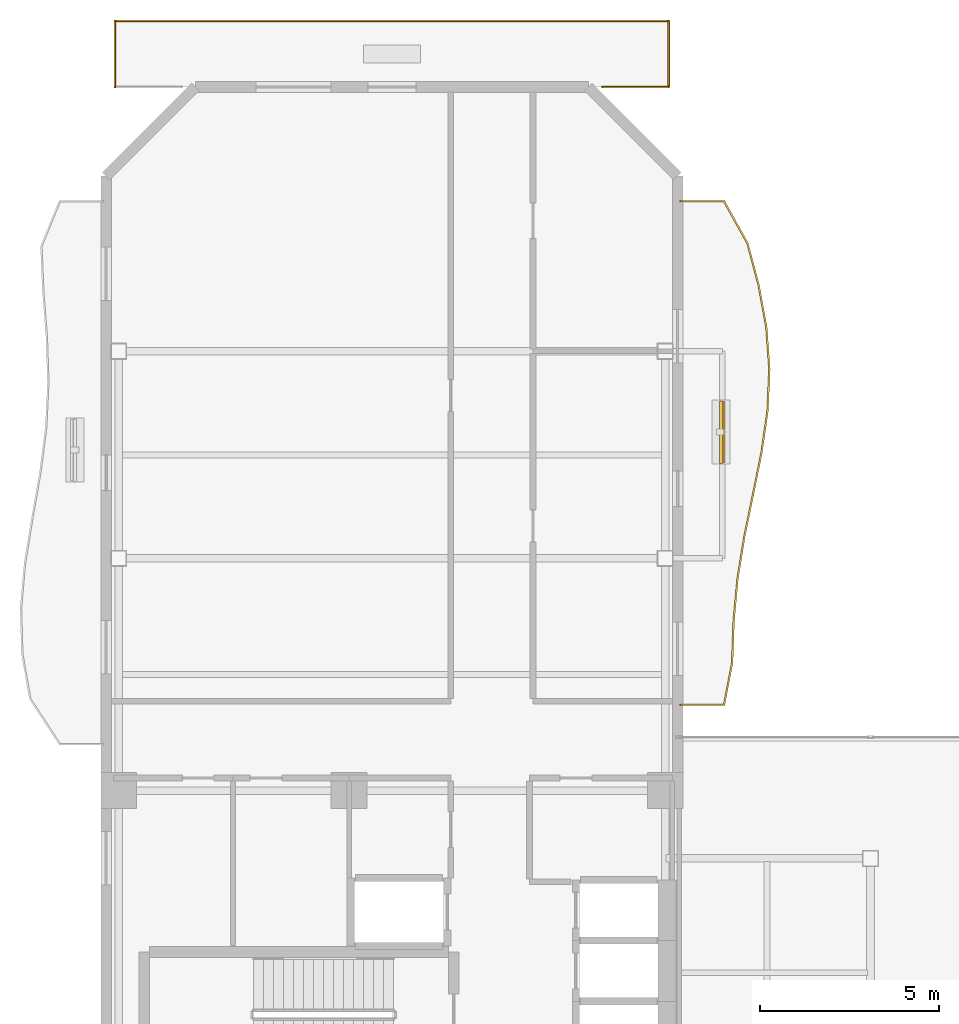
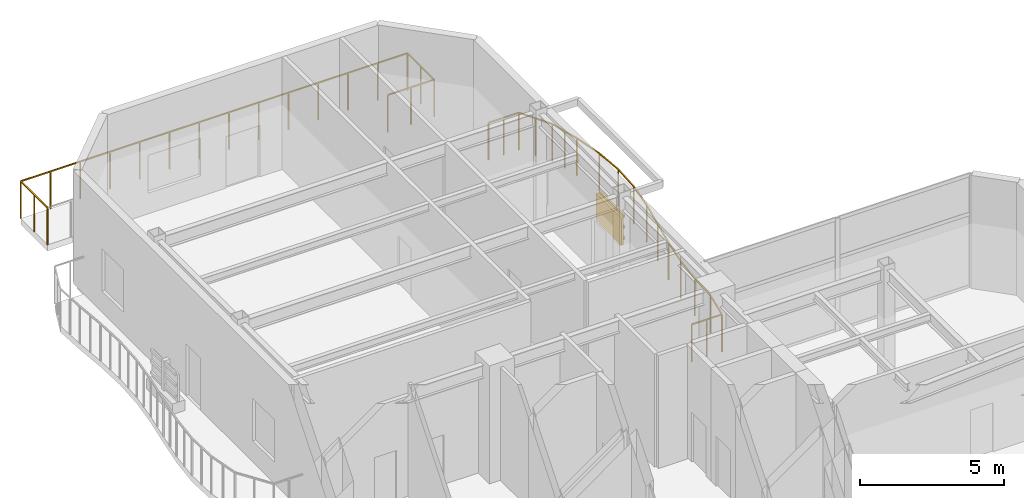
# One storey, part 16 of 16: 5 railings, 4 shading devices.
"""IFC4 building model written with IfcOpenShell, lengths in metres."""

from ifc_helpers import new_model, si_unit, direction, frame, origin, origin_2d, place, context, subcontext, project, spatial, rectangle, extrude, material, layer, layer_set, material_profile, profile_set, type_object, element, save


model = new_model("IFC4")

# Units and contexts
model_context = context("Model", 3, precision=1e-05, world=origin(), true_north=direction((0.0, 1.0)))
body_context = subcontext(model_context, "Body", "Model", "MODEL_VIEW")
ifc_project = project(units=[si_unit("LENGTHUNIT", "METRE"), si_unit("AREAUNIT", "SQUARE_METRE"), si_unit("VOLUMEUNIT", "CUBIC_METRE"), si_unit("PLANEANGLEUNIT", "RADIAN"), si_unit("MASSUNIT", "GRAM", prefix="KILO")], contexts=[model_context])

# Site, building, storey
site_placement = place(None, origin())
site = spatial("IfcSite", under=ifc_project, at=site_placement, CompositionType="ELEMENT")
building_placement = place(site_placement, origin())
building = spatial("IfcBuilding", under=site, at=building_placement, Name="Mawjaban Terraces University", CompositionType="ELEMENT")
storey_placement = place(building_placement, frame((0.0, 0.0, 170.800048828125)))
storey = spatial("IfcBuildingStorey", under=building, at=storey_placement, Name="L41", CompositionType="ELEMENT", Elevation=170.800048828125)

# Railings
ifc_material_1 = material(Name="Galvanised powder-coated steel S355", Category="steel")
railing_type = type_object("IfcRailingType", Name="BalconyBalustrade_1600", PredefinedType="BALUSTRADE", material=ifc_material_1)
railing_1_placement = place(storey_placement, frame((38.080078125, 25.89990234375, 0.0)))
element("IfcRailing", 1, at=railing_1_placement, inside=storey, type_object=railing_type, Name="L41 Balcony Guardrail inner_east", PredefinedType="BALUSTRADE", context=body_context, shape_type="SweptSolid", body=[
    extrude(rectangle(XDim=0.048095703125, YDim=0.048095703125, at=origin_2d()), frame((0.0, 0.0, 1.576171875), z_axis=(1.0, 0.0, 0.0), x_axis=(0.0, 1.0, 0.0)), (0.0, 0.0, 1.0), 1.219970703125),
    extrude(rectangle(XDim=0.048095703125, YDim=0.048095703125, at=origin_2d()), frame((1.219970703125, 0.0, 1.576171875), z_axis=(0.189717436147, 0.981838731372, 0.0), x_axis=(-0.981838731372, 0.189717436147, 0.0)), (0.0, 0.0, 1.0), 1.19677734375),
    extrude(rectangle(XDim=0.048095703125, YDim=0.048095703125, at=origin_2d()), frame((1.447021484375, 1.175048828125, 1.576171875), z_axis=(0.0357137491, 0.999362060579, 0.0), x_axis=(-0.999362060579, 0.0357137491, 0.0)), (0.0, 0.0, 1.0), 1.17578125),
    extrude(rectangle(XDim=0.048095703125, YDim=0.048095703125, at=origin_2d()), frame((1.489013671875, 2.35009765625, 1.576171875), z_axis=(0.091449798878, 0.995809687784, 0.0), x_axis=(-0.995809687784, 0.091449798878, 0.0)), (0.0, 0.0, 1.0), 1.179931640625),
    extrude(rectangle(XDim=0.048095703125, YDim=0.048095703125, at=origin_2d()), frame((1.596923828125, 3.525146484375, 1.576171875), z_axis=(0.159574207001, 0.987185936113, 0.0), x_axis=(-0.987185936113, 0.159574207001, 0.0)), (0.0, 0.0, 1.0), 1.190185546875),
    extrude(rectangle(XDim=0.048095703125, YDim=0.048095703125, at=origin_2d()), frame((1.786865234375, 4.7001953125, 1.576171875), z_axis=(0.201710351327, 0.979445217543, 0.0), x_axis=(-0.979445217543, 0.201710351327, 0.0)), (0.0, 0.0, 1.0), 1.199462890625),
    extrude(rectangle(XDim=0.048095703125, YDim=0.048095703125, at=origin_2d()), frame((2.02880859375, 5.875, 1.576171875), z_axis=(0.198543481874, 0.980092080269, 0.0), x_axis=(-0.980092080269, 0.198543481874, 0.0)), (0.0, 0.0, 1.0), 1.198974609375),
    extrude(rectangle(XDim=0.048095703125, YDim=0.048095703125, at=origin_2d()), frame((2.266845703125, 7.050048828125, 1.576171875), z_axis=(0.143321076756, 0.989676244515, 0.0), x_axis=(-0.989676244515, 0.143321076756, 0.0)), (0.0, 0.0, 1.0), 1.187255859375),
    extrude(rectangle(XDim=0.048095703125, YDim=0.048095703125, at=origin_2d()), frame((2.43701171875, 8.22509765625, 1.576171875), z_axis=(0.045040469643, 0.9989851631, 0.0), x_axis=(-0.9989851631, 0.045040469643, 0.0)), (0.0, 0.0, 1.0), 1.17626953125),
    extrude(rectangle(XDim=0.048095703125, YDim=0.048095703125, at=origin_2d()), frame((2.489990234375, 9.400146484375, 1.576171875), z_axis=(-0.073146558175, 0.997321202536, 0.0), x_axis=(-0.997321202536, -0.073146558175, 0.0)), (0.0, 0.0, 1.0), 1.17822265625),
    extrude(rectangle(XDim=0.048095703125, YDim=0.048095703125, at=origin_2d()), frame((2.40380859375, 10.5751953125, 1.576171875), z_axis=(-0.179892743793, 0.983686230833, 0.0), x_axis=(-0.983686230833, -0.179892743793, 0.0)), (0.0, 0.0, 1.0), 1.1943359375),
    extrude(rectangle(XDim=0.048095703125, YDim=0.048095703125, at=origin_2d()), frame((2.18896484375, 11.75, 1.576171875), z_axis=(-0.258137372471, 0.966108222164, 0.0), x_axis=(-0.966108222164, -0.258137372471, 0.0)), (0.0, 0.0, 1.0), 1.21630859375),
    extrude(rectangle(XDim=0.048095703125, YDim=0.048095703125, at=origin_2d()), frame((1.875, 12.925048828125, 1.576171875), z_axis=(-0.486905922825, 0.873454419142, 0.0), x_axis=(-0.873454419142, -0.486905922825, 0.0)), (0.0, 0.0, 1.0), 1.34521484375),
    extrude(rectangle(XDim=0.048095703125, YDim=0.048095703125, at=origin_2d()), frame((1.219970703125, 14.10009765625, 1.576171875), z_axis=(-1.0, 0.0, 0.0), x_axis=(0.0, -1.0, 0.0)), (0.0, 0.0, 1.0), 1.219970703125),
    extrude(rectangle(XDim=0.0419921875, YDim=0.0419921875, at=origin_2d()), origin(), (0.0, 0.0, 1.0), 1.552001953125),
    extrude(rectangle(XDim=0.0419921875, YDim=0.0419921875, at=origin_2d()), frame((0.60986328125, 0.0, 0.0)), (0.0, 0.0, 1.0), 1.552001953125),
    extrude(rectangle(XDim=0.0419921875, YDim=0.0419921875, at=origin_2d()), frame((1.219970703125, 0.0, 0.0)), (0.0, 0.0, 1.0), 1.552001953125),
    extrude(rectangle(XDim=0.0419921875, YDim=0.0419921875, at=origin_2d()), frame((1.447021484375, 1.175048828125, 0.0)), (0.0, 0.0, 1.0), 1.552001953125),
    extrude(rectangle(XDim=0.0419921875, YDim=0.0419921875, at=origin_2d()), frame((1.489013671875, 2.35009765625, 0.0)), (0.0, 0.0, 1.0), 1.552001953125),
    extrude(rectangle(XDim=0.0419921875, YDim=0.0419921875, at=origin_2d()), frame((1.596923828125, 3.525146484375, 0.0)), (0.0, 0.0, 1.0), 1.552001953125),
    extrude(rectangle(XDim=0.0419921875, YDim=0.0419921875, at=origin_2d()), frame((1.786865234375, 4.7001953125, 0.0)), (0.0, 0.0, 1.0), 1.552001953125),
    extrude(rectangle(XDim=0.0419921875, YDim=0.0419921875, at=origin_2d()), frame((2.02880859375, 5.875, 0.0)), (0.0, 0.0, 1.0), 1.552001953125),
    extrude(rectangle(XDim=0.0419921875, YDim=0.0419921875, at=origin_2d()), frame((2.266845703125, 7.050048828125, 0.0)), (0.0, 0.0, 1.0), 1.552001953125),
    extrude(rectangle(XDim=0.0419921875, YDim=0.0419921875, at=origin_2d()), frame((2.43701171875, 8.22509765625, 0.0)), (0.0, 0.0, 1.0), 1.552001953125),
    extrude(rectangle(XDim=0.0419921875, YDim=0.0419921875, at=origin_2d()), frame((2.489990234375, 9.400146484375, 0.0)), (0.0, 0.0, 1.0), 1.552001953125),
    extrude(rectangle(XDim=0.0419921875, YDim=0.0419921875, at=origin_2d()), frame((2.40380859375, 10.5751953125, 0.0)), (0.0, 0.0, 1.0), 1.552001953125),
    extrude(rectangle(XDim=0.0419921875, YDim=0.0419921875, at=origin_2d()), frame((2.18896484375, 11.75, 0.0)), (0.0, 0.0, 1.0), 1.552001953125),
    extrude(rectangle(XDim=0.0419921875, YDim=0.0419921875, at=origin_2d()), frame((2.031982421875, 12.33740234375, 0.0)), (0.0, 0.0, 1.0), 1.552001953125),
    extrude(rectangle(XDim=0.0419921875, YDim=0.0419921875, at=origin_2d()), frame((1.875, 12.925048828125, 0.0)), (0.0, 0.0, 1.0), 1.552001953125),
    extrude(rectangle(XDim=0.0419921875, YDim=0.0419921875, at=origin_2d()), frame((1.54736328125, 13.5126953125, 0.0)), (0.0, 0.0, 1.0), 1.552001953125),
    extrude(rectangle(XDim=0.0419921875, YDim=0.0419921875, at=origin_2d()), frame((1.219970703125, 14.10009765625, 0.0)), (0.0, 0.0, 1.0), 1.552001953125),
    extrude(rectangle(XDim=0.0419921875, YDim=0.0419921875, at=origin_2d()), frame((0.60986328125, 14.10009765625, 0.0)), (0.0, 0.0, 1.0), 1.552001953125),
    extrude(rectangle(XDim=0.0419921875, YDim=0.0419921875, at=origin_2d()), frame((0.0, 14.10009765625, 0.0)), (0.0, 0.0, 1.0), 1.552001953125),
])
railing_2_placement = place(storey_placement, frame((35.89599609375, 43.199951171875, 0.0)))
element("IfcRailing", 2, at=railing_2_placement, inside=storey, type_object=railing_type, Name="L41 Terrace Guardrail TER-L41-NORTH.2", PredefinedType="BALUSTRADE", context=body_context, shape_type="SweptSolid", body=[
    extrude(rectangle(XDim=0.048095703125, YDim=0.048095703125, at=origin_2d()), frame((0.0, 0.0, 1.576171875), z_axis=(1.0, 0.0, 0.0), x_axis=(0.0, 1.0, 0.0)), (0.0, 0.0, 1.0), 1.85400390625),
    extrude(rectangle(XDim=0.0419921875, YDim=0.0419921875, at=origin_2d()), origin(), (0.0, 0.0, 1.0), 1.552001953125),
    extrude(rectangle(XDim=0.0419921875, YDim=0.0419921875, at=origin_2d()), frame((0.927001953125, 0.0, 0.0)), (0.0, 0.0, 1.0), 1.552001953125),
    extrude(rectangle(XDim=0.0419921875, YDim=0.0419921875, at=origin_2d()), frame((1.85400390625, 0.0, 0.0)), (0.0, 0.0, 1.0), 1.552001953125),
])
railing_3_placement = place(storey_placement, frame((37.75, 43.199951171875, 0.0)))
element("IfcRailing", 3, at=railing_3_placement, inside=storey, type_object=railing_type, Name="L41 Terrace Guardrail TER-L41-NORTH.3", PredefinedType="BALUSTRADE", context=body_context, shape_type="SweptSolid", body=[
    extrude(rectangle(XDim=0.048095703125, YDim=0.048095703125, at=origin_2d()), frame((0.0, 0.0, 1.576171875), z_axis=(0.0, 1.0, 0.0), x_axis=(-1.0, 0.0, 0.0)), (0.0, 0.0, 1.0), 1.85009765625),
    extrude(rectangle(XDim=0.0419921875, YDim=0.0419921875, at=origin_2d()), origin(), (0.0, 0.0, 1.0), 1.552001953125),
    extrude(rectangle(XDim=0.0419921875, YDim=0.0419921875, at=origin_2d()), frame((0.0, 0.925048828125, 0.0)), (0.0, 0.0, 1.0), 1.552001953125),
    extrude(rectangle(XDim=0.0419921875, YDim=0.0419921875, at=origin_2d()), frame((0.0, 1.85009765625, 0.0)), (0.0, 0.0, 1.0), 1.552001953125),
])
railing_4_placement = place(storey_placement, frame((37.75, 45.050048828125, 0.0)))
element("IfcRailing", 4, at=railing_4_placement, inside=storey, type_object=railing_type, Name="L41 Terrace Guardrail TER-L41-NORTH.4", PredefinedType="BALUSTRADE", context=body_context, shape_type="SweptSolid", body=[
    extrude(rectangle(XDim=0.048095703125, YDim=0.048095703125, at=origin_2d()), frame((0.0, 0.0, 1.576171875), z_axis=(-1.0, 0.0, 0.0), x_axis=(0.0, -1.0, 0.0)), (0.0, 0.0, 1.0), 15.5),
    extrude(rectangle(XDim=0.0419921875, YDim=0.0419921875, at=origin_2d()), origin(), (0.0, 0.0, 1.0), 1.552001953125),
    extrude(rectangle(XDim=0.0419921875, YDim=0.0419921875, at=origin_2d()), frame((-1.1923828125, 0.0, 0.0)), (0.0, 0.0, 1.0), 1.552001953125),
    extrude(rectangle(XDim=0.0419921875, YDim=0.0419921875, at=origin_2d()), frame((-2.384521484375, 0.0, 0.0)), (0.0, 0.0, 1.0), 1.552001953125),
    extrude(rectangle(XDim=0.0419921875, YDim=0.0419921875, at=origin_2d()), frame((-3.576904296875, 0.0, 0.0)), (0.0, 0.0, 1.0), 1.552001953125),
    extrude(rectangle(XDim=0.0419921875, YDim=0.0419921875, at=origin_2d()), frame((-4.769287109375, 0.0, 0.0)), (0.0, 0.0, 1.0), 1.552001953125),
    extrude(rectangle(XDim=0.0419921875, YDim=0.0419921875, at=origin_2d()), frame((-5.96142578125, 0.0, 0.0)), (0.0, 0.0, 1.0), 1.552001953125),
    extrude(rectangle(XDim=0.0419921875, YDim=0.0419921875, at=origin_2d()), frame((-7.15380859375, 0.0, 0.0)), (0.0, 0.0, 1.0), 1.552001953125),
    extrude(rectangle(XDim=0.0419921875, YDim=0.0419921875, at=origin_2d()), frame((-8.34619140625, 0.0, 0.0)), (0.0, 0.0, 1.0), 1.552001953125),
    extrude(rectangle(XDim=0.0419921875, YDim=0.0419921875, at=origin_2d()), frame((-9.53857421875, 0.0, 0.0)), (0.0, 0.0, 1.0), 1.552001953125),
    extrude(rectangle(XDim=0.0419921875, YDim=0.0419921875, at=origin_2d()), frame((-10.730712890625, 0.0, 0.0)), (0.0, 0.0, 1.0), 1.552001953125),
    extrude(rectangle(XDim=0.0419921875, YDim=0.0419921875, at=origin_2d()), frame((-11.923095703125, 0.0, 0.0)), (0.0, 0.0, 1.0), 1.552001953125),
    extrude(rectangle(XDim=0.0419921875, YDim=0.0419921875, at=origin_2d()), frame((-13.115478515625, 0.0, 0.0)), (0.0, 0.0, 1.0), 1.552001953125),
    extrude(rectangle(XDim=0.0419921875, YDim=0.0419921875, at=origin_2d()), frame((-14.3076171875, 0.0, 0.0)), (0.0, 0.0, 1.0), 1.552001953125),
    extrude(rectangle(XDim=0.0419921875, YDim=0.0419921875, at=origin_2d()), frame((-15.5, 0.0, 0.0)), (0.0, 0.0, 1.0), 1.552001953125),
])
railing_5_placement = place(storey_placement, frame((22.25, 45.050048828125, 0.0)))
element("IfcRailing", 5, at=railing_5_placement, inside=storey, type_object=railing_type, Name="L41 Terrace Guardrail TER-L41-NORTH.5", PredefinedType="BALUSTRADE", context=body_context, shape_type="SweptSolid", body=[
    extrude(rectangle(XDim=0.048095703125, YDim=0.048095703125, at=origin_2d()), frame((0.0, 0.0, 1.576171875), z_axis=(0.0, -1.0, 0.0), x_axis=(1.0, 0.0, 0.0)), (0.0, 0.0, 1.0), 1.85009765625),
    extrude(rectangle(XDim=0.0419921875, YDim=0.0419921875, at=origin_2d()), origin(), (0.0, 0.0, 1.0), 1.552001953125),
    extrude(rectangle(XDim=0.0419921875, YDim=0.0419921875, at=origin_2d()), frame((0.0, -0.925048828125, 0.0)), (0.0, 0.0, 1.0), 1.552001953125),
    extrude(rectangle(XDim=0.0419921875, YDim=0.0419921875, at=origin_2d()), frame((0.0, -1.85009765625, 0.0)), (0.0, 0.0, 1.0), 1.552001953125),
])

# Shading devices
ifc_material_2 = material(Name="Glazed architectural terracotta ceramic", Category="masonry")
ifc_material_profile = material_profile(ifc_material_2, rectangle(XDim=0.06494140625, YDim=0.110107421875, at=origin_2d()), Name="TBAG110X65")
ifc_profile_set = profile_set([ifc_material_profile], Name="Glazed architectural terracotta ceramic")
shading_device_type_1 = type_object("IfcShadingDeviceType", Name="TerracottaBaguette_110x65", PredefinedType="USERDEFINED", material=ifc_profile_set)
for number, where, z_axis, x_axis, name in (
    (6, (39.2958984375, 32.68798828125, 0.679931640625), (0.0, 1.0, 0.0), (-1.0, 0.0, 0.0), "L41 Horizontal Terracotta Baguette inner_east.1"),
    (7, (39.2958984375, 32.68798828125, 1.14990234375), (0.0, 1.0, 0.0), (-1.0, 0.0, 0.0), "L41 Horizontal Terracotta Baguette inner_east.2"),
    (8, (39.2958984375, 32.68798828125, 1.619873046875), (0.0, 1.0, 0.0), (-1.0, 0.0, 0.0), "L41 Horizontal Terracotta Baguette inner_east.3"),
):
    element("IfcShadingDevice", number, at=place(storey_placement, frame(where, z_axis=z_axis, x_axis=x_axis)), inside=storey, type_object=shading_device_type_1, Name=name, ObjectType="BAGUETTE", PredefinedType="USERDEFINED", context=body_context, shape_type="SweptSolid", body=[
        extrude(rectangle(XDim=0.06494140625, YDim=0.110107421875, at=origin_2d()), origin(), (0.0, 0.0, 1.0), 1.699951171875),
    ])
ifc_layer = layer(ifc_material_2, 0.080078125)
ifc_layer_set = layer_set([ifc_layer], Name="Glazed architectural terracotta ceramic")
shading_device_type_2 = type_object("IfcShadingDeviceType", Name="TerracottaScreen_Perforated", PredefinedType="USERDEFINED", material=ifc_layer_set)
shading_device_placement = place(storey_placement, frame((39.2109375, 33.5380859375, 0.43994140625), z_axis=(0.0, 0.0, 1.0), x_axis=(0.0, 1.0, 0.0)))
element("IfcShadingDevice", 9, at=shading_device_placement, inside=storey, type_object=shading_device_type_2, Name="L41 Balcony Perforated Terracotta Screen inner_east", ObjectType="SCREEN", PredefinedType="USERDEFINED", context=body_context, shape_type="SweptSolid", body=[
    extrude(rectangle(XDim=1.75, YDim=0.080078125, at=origin_2d()), origin(), (0.0, 0.0, 1.0), 1.14990234375),
])

save(model, "model.ifc")
